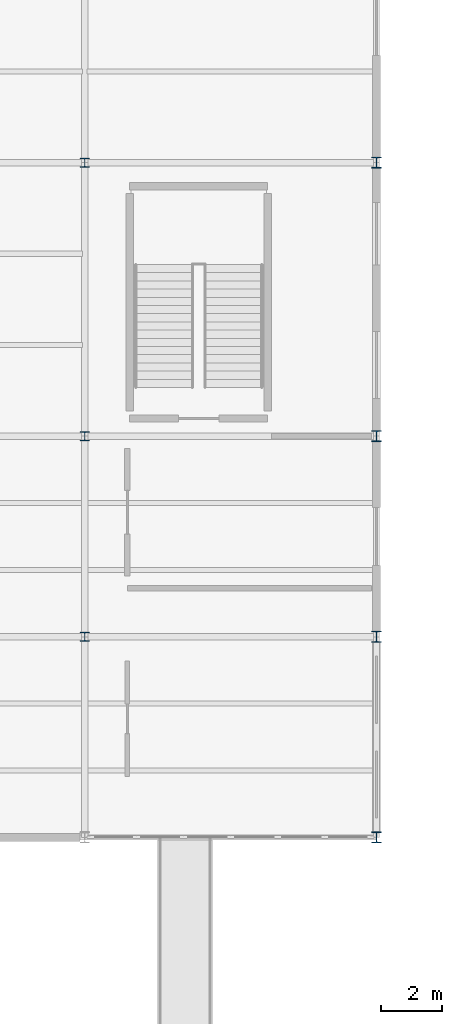
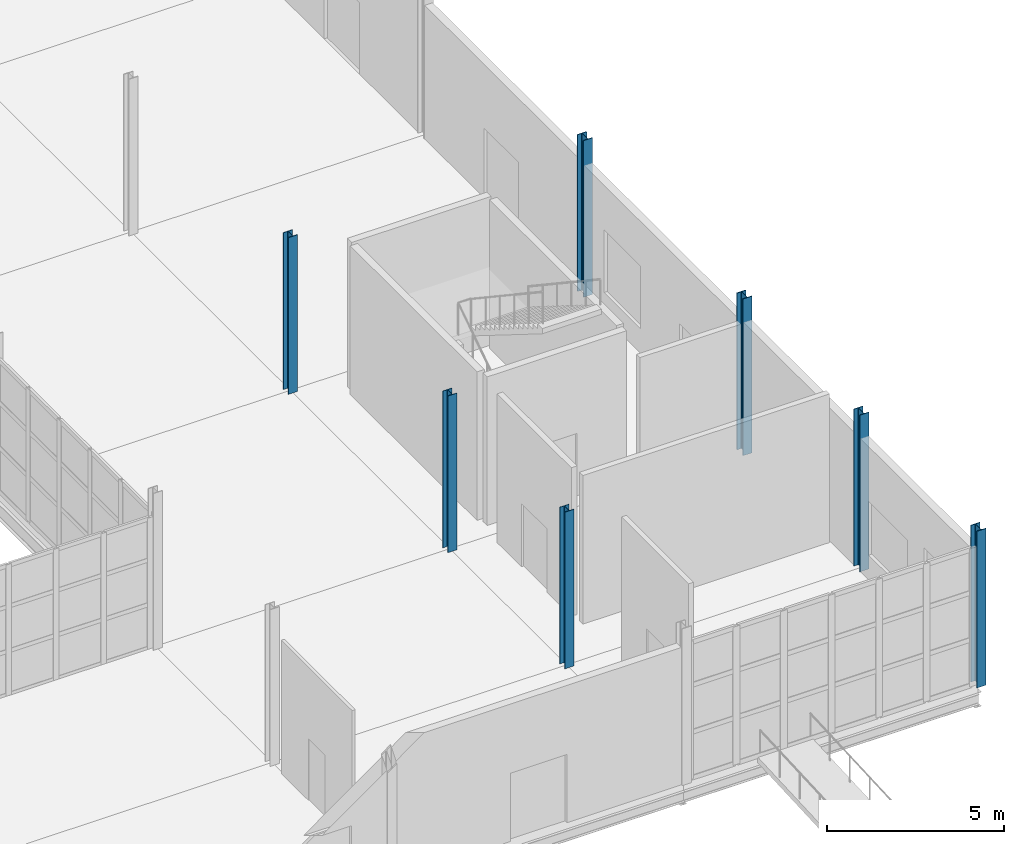
# One storey, part 17 of 85: 7 columns.
"""IFC4 building model written with IfcOpenShell, lengths in metres."""

from ifc_helpers import new_model, si_unit, direction, frame, origin, origin_2d, place, context, subcontext, project, spatial, i_section, extrude, material, material_profile, profile_set, type_object, element, save


model = new_model("IFC4")

# Units and contexts
model_context = context("Model", 3, precision=1e-05, world=origin(), true_north=direction((0.0, 1.0)))
body_context = subcontext(model_context, "Body", "Model", "MODEL_VIEW")
ifc_project = project(units=[si_unit("LENGTHUNIT", "METRE"), si_unit("AREAUNIT", "SQUARE_METRE"), si_unit("VOLUMEUNIT", "CUBIC_METRE"), si_unit("PLANEANGLEUNIT", "RADIAN"), si_unit("MASSUNIT", "GRAM", prefix="KILO")], contexts=[model_context])

# Site, building, storey
site_placement = place(None, origin())
site = spatial("IfcSite", under=ifc_project, at=site_placement, CompositionType="ELEMENT")
building_placement = place(site_placement, origin())
building = spatial("IfcBuilding", under=site, at=building_placement, Name="Zarnetskaya Central Station", CompositionType="ELEMENT")
storey_placement = place(building_placement, origin())
storey = spatial("IfcBuildingStorey", under=building, at=storey_placement, Name="L00", CompositionType="ELEMENT", Elevation=0.0)

# Columns
ifc_material = material(Name="Steel S355", Category="steel")
ifc_material_profile_1 = material_profile(ifc_material, i_section(OverallWidth=0.300048828125, OverallDepth=0.360107421875, WebThickness=0.012451171875, FlangeThickness=0.0224609375, FilletRadius=0.027099609375, at=origin_2d()), Name="HEB 360")
ifc_profile_set_1 = profile_set([ifc_material_profile_1], Name="Steel S355")
column_type_1 = type_object("IfcColumnType", Name="COL-V4-EXT", PredefinedType="COLUMN", material=ifc_profile_set_1)
for number, where, z_axis, x_axis, name in (
    (1, (172.800048828125, 0.0, 0.0), (0.0, 0.0, 1.0), (1.0, 0.0, 0.0), "Column U1 L00"),
    (2, (172.800048828125, 6.60009765625, 0.0), (0.0, 0.0, 1.0), (1.0, 0.0, 0.0), "Column U2 L00"),
    (3, (172.800048828125, 13.199951171875, 0.0), (0.0, 0.0, 1.0), (1.0, 0.0, 0.0), "Column U3 L00"),
    (4, (172.800048828125, 22.199951171875, 0.0), (0.0, 0.0, 1.0), (1.0, 0.0, 0.0), "Column U4 L00"),
):
    element("IfcColumn", number, at=place(storey_placement, frame(where, z_axis=z_axis, x_axis=x_axis)), inside=storey, type_object=column_type_1, Name=name, PredefinedType="COLUMN", context=body_context, shape_type="SweptSolid", body=[
        extrude(i_section(OverallWidth=0.300048828125, OverallDepth=0.360107421875, WebThickness=0.012451171875, FlangeThickness=0.0224609375, FilletRadius=0.027099609375, at=origin_2d()), origin(), (0.0, 0.0, 1.0), 5.39990234375),
    ])
ifc_material_profile_2 = material_profile(ifc_material, i_section(OverallWidth=0.300048828125, OverallDepth=0.300048828125, WebThickness=0.010986328125, FlangeThickness=0.01904296875, FilletRadius=0.027099609375, at=origin_2d()), Name="HEB 300")
ifc_profile_set_2 = profile_set([ifc_material_profile_2], Name="Steel S355")
column_type_2 = type_object("IfcColumnType", Name="COL-V4-INT", PredefinedType="COLUMN", material=ifc_profile_set_2)
for number, where, z_axis, x_axis, name in (
    (5, (163.199951171875, 6.60009765625, 0.0), (0.0, 0.0, 1.0), (1.0, 0.0, 0.0), "Column T2 L00"),
    (6, (163.199951171875, 13.199951171875, 0.0), (0.0, 0.0, 1.0), (1.0, 0.0, 0.0), "Column T3 L00"),
    (7, (163.199951171875, 22.199951171875, 0.0), (0.0, 0.0, 1.0), (1.0, 0.0, 0.0), "Column T4 L00"),
):
    element("IfcColumn", number, at=place(storey_placement, frame(where, z_axis=z_axis, x_axis=x_axis)), inside=storey, type_object=column_type_2, Name=name, PredefinedType="COLUMN", context=body_context, shape_type="SweptSolid", body=[
        extrude(i_section(OverallWidth=0.300048828125, OverallDepth=0.300048828125, WebThickness=0.010986328125, FlangeThickness=0.01904296875, FilletRadius=0.027099609375, at=origin_2d()), origin(), (0.0, 0.0, 1.0), 5.39990234375),
    ])

save(model, "model.ifc")
